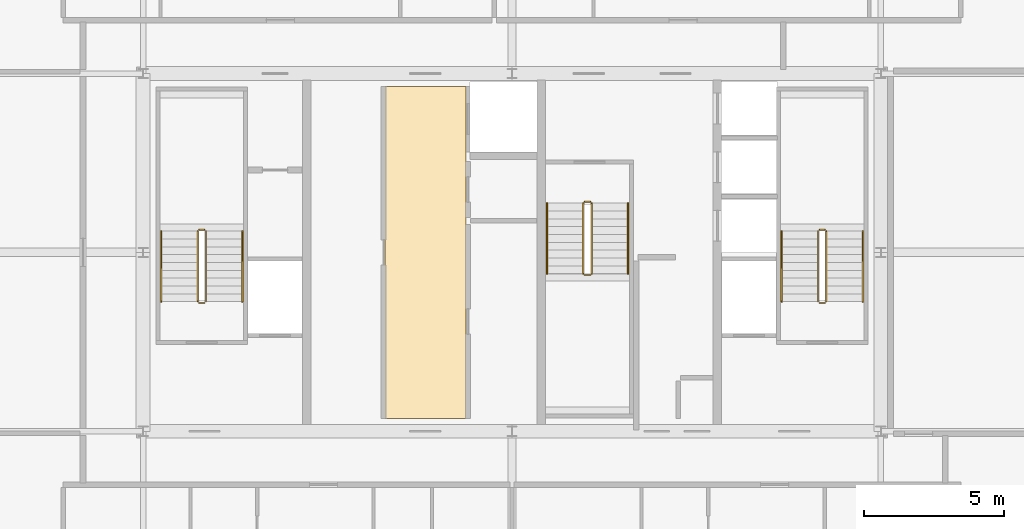
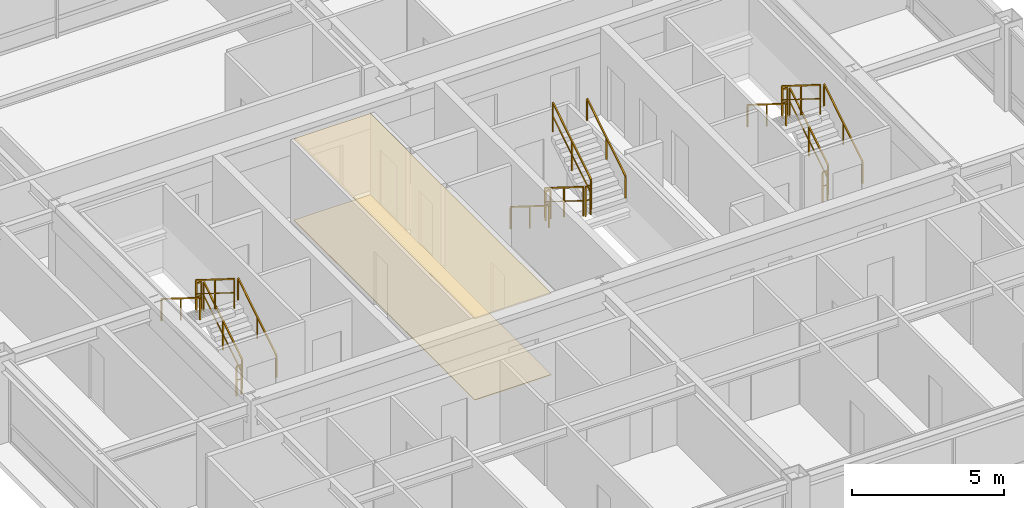
# One storey, part 34 of 34: 18 railings, 2 coverings.
"""IFC4 building model written with IfcOpenShell, lengths in metres."""

from ifc_helpers import new_model, si_unit, direction, frame, origin, origin_2d, place, context, subcontext, project, spatial, polyline, rectangle, outline, extrude, source, transform, mapped, material, layer, layer_set, type_object, element, save


model = new_model("IFC4")

# Units and contexts
model_context = context("Model", 3, precision=1e-05, world=origin(), true_north=direction((0.0, 1.0)))
body_context = subcontext(model_context, "Body", "Model", "MODEL_VIEW")
ifc_project = project(units=[si_unit("LENGTHUNIT", "METRE"), si_unit("AREAUNIT", "SQUARE_METRE"), si_unit("VOLUMEUNIT", "CUBIC_METRE"), si_unit("PLANEANGLEUNIT", "RADIAN"), si_unit("MASSUNIT", "GRAM", prefix="KILO"), si_unit("THERMODYNAMICTEMPERATUREUNIT", "KELVIN"), si_unit("POWERUNIT", "WATT")], contexts=[model_context])

# Site, building, storey
site_placement = place(None, origin())
site = spatial("IfcSite", under=ifc_project, at=site_placement, CompositionType="ELEMENT")
building_placement = place(site_placement, origin())
building = spatial("IfcBuilding", under=site, at=building_placement, Name="Yuzanri Waterfront Tower", CompositionType="ELEMENT")
storey_placement = place(building_placement, frame((0.0, 0.0, 325.199951171875)))
storey = spatial("IfcBuildingStorey", under=building, at=storey_placement, Name="L87", CompositionType="ELEMENT", Elevation=325.199951171875)

# Coverings
ifc_material_1 = material(Name="Engineered Smoked-Oak Timber", Category="wood")
ifc_layer_1 = layer(ifc_material_1, 0.02197265625)
ifc_layer_set_1 = layer_set([ifc_layer_1], Name="Engineered Smoked-Oak Timber")
covering_type_1 = type_object("IfcCoveringType", Name="Engineered Smoked-Oak Residence Flooring 22", PredefinedType="FLOORING", material=ifc_layer_set_1)
covering_1_placement = place(storey_placement, origin())
element("IfcCovering", 1, at=covering_1_placement, inside=storey, type_object=covering_type_1, Name="L87 Smoked-Oak Floor Finish", PredefinedType="FLOORING", context=body_context, shape_type="SweptSolid", body=[
    extrude(outline(polyline([(32.449951171875, 19.860107421875), (35.35009765625, 19.860107421875), (35.35009765625, 31.739990234375), (32.449951171875, 31.739990234375), (32.449951171875, 19.860107421875)])), origin(), (0.0, 0.0, 1.0), 0.02197265625),
])
ifc_material_2 = material(Name="Acoustic Mineral-Fibre Ceiling Board", Category="gypsum")
ifc_layer_2 = layer(ifc_material_2, 0.02490234375)
ifc_layer_set_2 = layer_set([ifc_layer_2], Name="Acoustic Mineral-Fibre Ceiling Board")
covering_type_2 = type_object("IfcCoveringType", Name="Perforated Mineral-Fibre Acoustic Ceiling Tile 25", PredefinedType="CEILING", material=ifc_layer_set_2)
covering_2_placement = place(storey_placement, frame((0.0, 0.0, 3.255126953125)))
element("IfcCovering", 2, at=covering_2_placement, inside=storey, type_object=covering_type_2, Name="L87 Acoustic Mineral-Fibre Ceiling", PredefinedType="CEILING", context=body_context, shape_type="SweptSolid", body=[
    extrude(outline(polyline([(32.449951171875, 19.860107421875), (35.35009765625, 19.860107421875), (35.35009765625, 31.739990234375), (32.449951171875, 31.739990234375), (32.449951171875, 19.860107421875)])), origin(), (0.0, 0.0, 1.0), 0.02490234375),
])

# Railings
ifc_material_3 = material(Name="Painted Galvanized Fire Steel", Category="steel")
ifc_layer_3 = layer(ifc_material_3, 0.06005859375)
ifc_layer_set_3 = layer_set([ifc_layer_3], Name="Painted Galvanized Fire Steel")
railing_type_1 = type_object("IfcRailingType", Name="Painted Steel Stairwell Guardrail 1120", PredefinedType="GUARDRAIL", material=ifc_layer_set_3)
shared_shape_1 = source(origin(), body_context, "Body", "SweptSolid", [
    extrude(rectangle(XDim=0.050048828125, YDim=0.050048828125, at=origin_2d()), frame((0.0, 0.0, 1.1748046875), z_axis=(-1.0, 0.0, 0.0), x_axis=(0.0, -1.0, 0.0)), (0.0, 0.0, 1.0), 0.199951171875),
    extrude(rectangle(XDim=0.035888671875, YDim=0.030029296875, at=origin_2d()), frame((0.0, 0.0, 0.6240234375), z_axis=(-1.0, 0.0, 0.0), x_axis=(0.0, -1.0, 0.0)), (0.0, 0.0, 1.0), 0.199951171875),
    extrude(rectangle(XDim=0.0458984375, YDim=0.0458984375, at=origin_2d()), origin(), (0.0, 0.0, 1.0), 1.14990234375),
    extrude(rectangle(XDim=0.0458984375, YDim=0.0458984375, at=origin_2d()), frame((-0.199951171875, 0.0, 0.0)), (0.0, 0.0, 1.0), 1.14990234375),
])
for number, where, name in (
    (3, (26.0, 26.610107421875, 1.75), "L87 ST-01 stair guard 2"),
    (4, (26.0, 23.989990234375, 0.0), "L87 ST-01 stair guard 4"),
    (5, (48.199951171875, 26.610107421875, 1.75), "L87 ST-02 stair guard 2"),
    (6, (48.199951171875, 23.989990234375, 0.0), "L87 ST-02 stair guard 4"),
):
    element("IfcRailing", number, at=place(storey_placement, frame(where)), inside=storey, type_object=railing_type_1, Name=name, PredefinedType="GUARDRAIL", context=body_context, shape_type="MappedRepresentation", body=[
        mapped(shared_shape_1, transform((0.0, 0.0, 0.0), scale=1.0)),
    ])
shared_shape_2 = source(origin(), body_context, "Body", "SweptSolid", [
    extrude(rectangle(XDim=0.050048828125, YDim=0.050048828125, at=origin_2d()), frame((0.0, 0.0, 1.1748046875), z_axis=(0.0, 0.848007534815, 0.529984170421), x_axis=(-1.0, 0.0, 0.0)), (0.0, 0.0, 1.0), 2.9716796875),
    extrude(rectangle(XDim=0.035888671875, YDim=0.030029296875, at=origin_2d()), frame((0.0, 0.0, 0.6240234375), z_axis=(0.0, 0.848007534815, 0.529984170421), x_axis=(-1.0, 0.0, 0.0)), (0.0, 0.0, 1.0), 2.9716796875),
    extrude(rectangle(XDim=0.0458984375, YDim=0.0458984375, at=origin_2d()), origin(), (0.0, 0.0, 1.0), 1.14990234375),
    extrude(rectangle(XDim=0.0458984375, YDim=0.0458984375, at=origin_2d()), frame((0.0, 1.260009765625, 0.78759765625)), (0.0, 0.0, 1.0), 1.14990234375),
    extrude(rectangle(XDim=0.0458984375, YDim=0.0458984375, at=origin_2d()), frame((0.0, 2.52001953125, 1.574951171875)), (0.0, 0.0, 1.0), 1.14990234375),
])
for number, where, name in (
    (7, (26.050048828125, 24.0400390625, 0.175048828125), "L87 ST-01 stair guard 1"),
    (8, (48.25, 24.0400390625, 0.175048828125), "L87 ST-02 stair guard 1"),
    (9, (39.85009765625, 25.0400390625, 1.925048828125), "L87 ST-03 stair guard 3"),
):
    element("IfcRailing", number, at=place(storey_placement, frame(where)), inside=storey, type_object=railing_type_1, Name=name, PredefinedType="GUARDRAIL", context=body_context, shape_type="MappedRepresentation", body=[
        mapped(shared_shape_2, transform((0.0, 0.0, 0.0), scale=1.0)),
    ])
shared_shape_3 = source(origin(), body_context, "Body", "SweptSolid", [
    extrude(rectangle(XDim=0.050048828125, YDim=0.050048828125, at=origin_2d()), frame((0.0, 0.0, 1.1748046875), z_axis=(0.0, -0.848007534815, 0.529984170421), x_axis=(1.0, 0.0, 0.0)), (0.0, 0.0, 1.0), 2.9716796875),
    extrude(rectangle(XDim=0.035888671875, YDim=0.030029296875, at=origin_2d()), frame((0.0, 0.0, 0.6240234375), z_axis=(0.0, -0.848007534815, 0.529984170421), x_axis=(1.0, 0.0, 0.0)), (0.0, 0.0, 1.0), 2.9716796875),
    extrude(rectangle(XDim=0.0458984375, YDim=0.0458984375, at=origin_2d()), origin(), (0.0, 0.0, 1.0), 1.14990234375),
    extrude(rectangle(XDim=0.0458984375, YDim=0.0458984375, at=origin_2d()), frame((0.0, -1.260009765625, 0.78759765625)), (0.0, 0.0, 1.0), 1.14990234375),
    extrude(rectangle(XDim=0.0458984375, YDim=0.0458984375, at=origin_2d()), frame((0.0, -2.52001953125, 1.574951171875)), (0.0, 0.0, 1.0), 1.14990234375),
])
for number, where, name in (
    (10, (25.75, 26.56005859375, 1.925048828125), "L87 ST-01 stair guard 3"),
    (11, (47.949951171875, 26.56005859375, 1.925048828125), "L87 ST-02 stair guard 3"),
    (12, (39.550048828125, 27.56005859375, 0.175048828125), "L87 ST-03 stair guard 1"),
):
    element("IfcRailing", number, at=place(storey_placement, frame(where)), inside=storey, type_object=railing_type_1, Name=name, PredefinedType="GUARDRAIL", context=body_context, shape_type="MappedRepresentation", body=[
        mapped(shared_shape_3, transform((0.0, 0.0, 0.0), scale=1.0)),
    ])
ifc_material_4 = material(Name="Anodized Architectural Bronze", Category="metal")
ifc_layer_4 = layer(ifc_material_4, 0.050048828125)
ifc_layer_set_4 = layer_set([ifc_layer_4], Name="Anodized Architectural Bronze")
railing_type_2 = type_object("IfcRailingType", Name="Brushed Bronze Stair Pitch Handrail 920", PredefinedType="HANDRAIL", material=ifc_layer_set_4)
shared_shape_4 = source(origin(), body_context, "Body", "SweptSolid", [
    extrude(rectangle(XDim=0.050048828125, YDim=0.050048828125, at=origin_2d()), frame((0.0, 0.0, 0.875), z_axis=(0.0, 0.848007534815, 0.529984170421), x_axis=(-1.0, 0.0, 0.0)), (0.0, 0.0, 1.0), 2.9716796875),
    extrude(rectangle(XDim=0.0458984375, YDim=0.0458984375, at=origin_2d()), origin(), (0.0, 0.0, 1.0), 0.849853515625),
    extrude(rectangle(XDim=0.0458984375, YDim=0.0458984375, at=origin_2d()), frame((0.0, 1.260009765625, 0.78759765625)), (0.0, 0.0, 1.0), 0.849853515625),
    extrude(rectangle(XDim=0.0458984375, YDim=0.0458984375, at=origin_2d()), frame((0.0, 2.52001953125, 1.574951171875)), (0.0, 0.0, 1.0), 0.849853515625),
])
for number, where, name in (
    (13, (27.35009765625, 24.0400390625, 0.175048828125), "L87 ST-01 stair handrail 1"),
    (14, (49.550048828125, 24.0400390625, 0.175048828125), "L87 ST-02 stair handrail 1"),
    (15, (41.14990234375, 25.0400390625, 1.925048828125), "L87 ST-03 stair handrail 2"),
):
    element("IfcRailing", number, at=place(storey_placement, frame(where)), inside=storey, type_object=railing_type_2, Name=name, PredefinedType="HANDRAIL", context=body_context, shape_type="MappedRepresentation", body=[
        mapped(shared_shape_4, transform((0.0, 0.0, 0.0), scale=1.0)),
    ])
shared_shape_5 = source(origin(), body_context, "Body", "SweptSolid", [
    extrude(rectangle(XDim=0.050048828125, YDim=0.050048828125, at=origin_2d()), frame((0.0, 0.0, 0.875), z_axis=(0.0, -0.848007534815, 0.529984170421), x_axis=(1.0, 0.0, 0.0)), (0.0, 0.0, 1.0), 2.9716796875),
    extrude(rectangle(XDim=0.0458984375, YDim=0.0458984375, at=origin_2d()), origin(), (0.0, 0.0, 1.0), 0.849853515625),
    extrude(rectangle(XDim=0.0458984375, YDim=0.0458984375, at=origin_2d()), frame((0.0, -1.260009765625, 0.78759765625)), (0.0, 0.0, 1.0), 0.849853515625),
    extrude(rectangle(XDim=0.0458984375, YDim=0.0458984375, at=origin_2d()), frame((0.0, -2.52001953125, 1.574951171875)), (0.0, 0.0, 1.0), 0.849853515625),
])
for number, where, name in (
    (16, (24.449951171875, 26.56005859375, 1.925048828125), "L87 ST-01 stair handrail 2"),
    (17, (46.64990234375, 26.56005859375, 1.925048828125), "L87 ST-02 stair handrail 2"),
    (18, (38.25, 27.56005859375, 0.175048828125), "L87 ST-03 stair handrail 1"),
):
    element("IfcRailing", number, at=place(storey_placement, frame(where)), inside=storey, type_object=railing_type_2, Name=name, PredefinedType="HANDRAIL", context=body_context, shape_type="MappedRepresentation", body=[
        mapped(shared_shape_5, transform((0.0, 0.0, 0.0), scale=1.0)),
    ])
shared_shape_6 = source(origin(), body_context, "Body", "SweptSolid", [
    extrude(rectangle(XDim=0.050048828125, YDim=0.050048828125, at=origin_2d()), frame((0.0, 0.0, 1.1748046875), z_axis=(1.0, 0.0, 0.0), x_axis=(0.0, 1.0, 0.0)), (0.0, 0.0, 1.0), 0.199951171875),
    extrude(rectangle(XDim=0.035888671875, YDim=0.030029296875, at=origin_2d()), frame((0.0, 0.0, 0.6240234375), z_axis=(1.0, 0.0, 0.0), x_axis=(0.0, 1.0, 0.0)), (0.0, 0.0, 1.0), 0.199951171875),
    extrude(rectangle(XDim=0.0458984375, YDim=0.0458984375, at=origin_2d()), origin(), (0.0, 0.0, 1.0), 1.14990234375),
    extrude(rectangle(XDim=0.0458984375, YDim=0.0458984375, at=origin_2d()), frame((0.199951171875, 0.0, 0.0)), (0.0, 0.0, 1.0), 1.14990234375),
])
for number, where, name in (
    (19, (39.60009765625, 24.989990234375, 1.75), "L87 ST-03 stair guard 2"),
    (20, (39.60009765625, 27.610107421875, 0.0), "L87 ST-03 stair guard 4"),
):
    element("IfcRailing", number, at=place(storey_placement, frame(where)), inside=storey, type_object=railing_type_1, Name=name, PredefinedType="GUARDRAIL", context=body_context, shape_type="MappedRepresentation", body=[
        mapped(shared_shape_6, transform((0.0, 0.0, 0.0), scale=1.0)),
    ])

save(model, "model.ifc")
